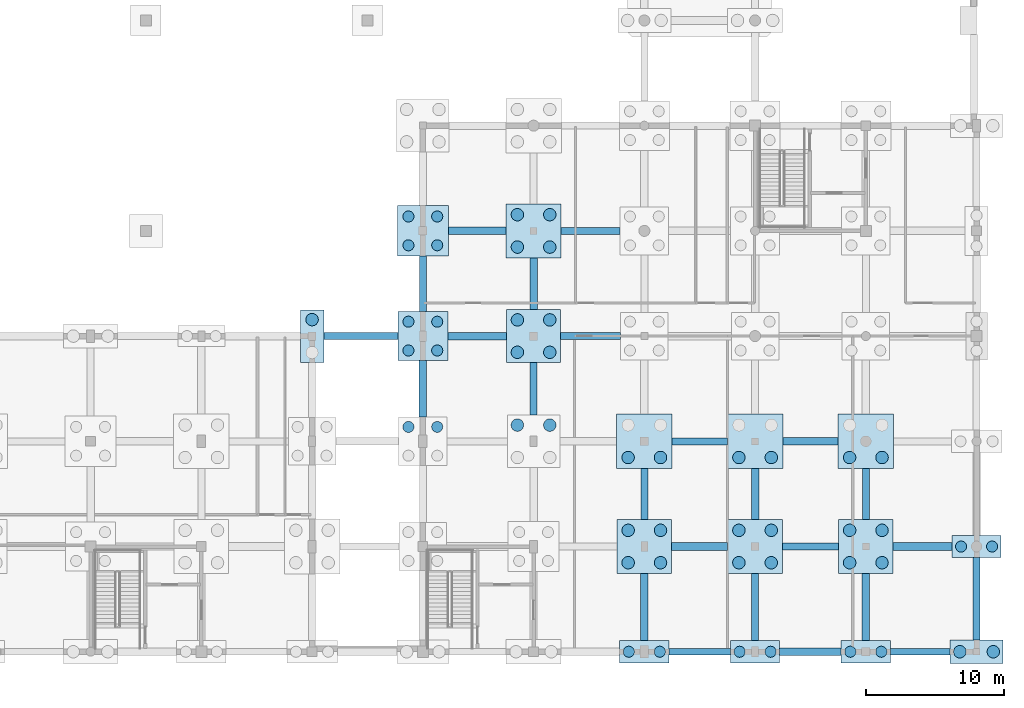
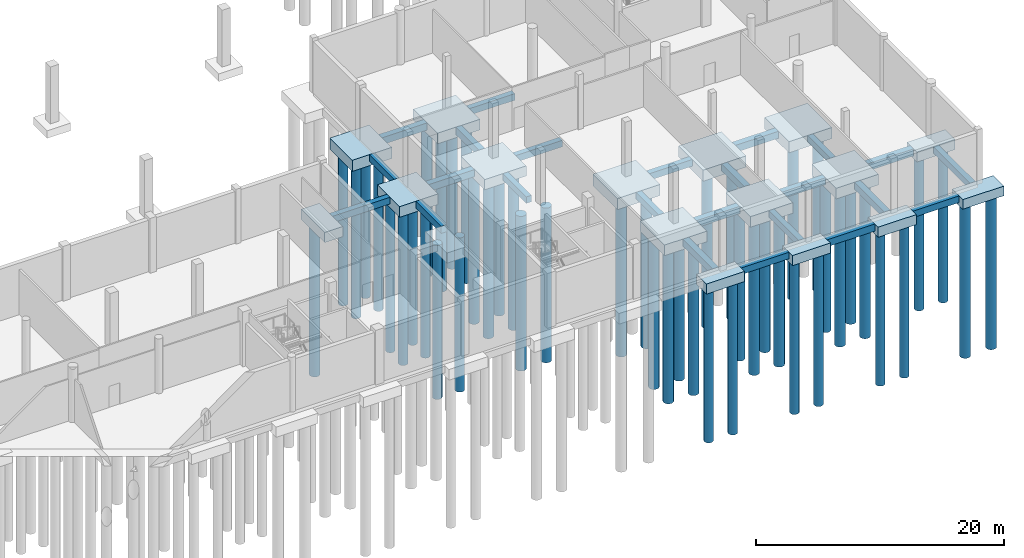
# One storey, part 12 of 44: 49 piles, 40 footings.
"""IFC4 building model written with IfcOpenShell, lengths in metres."""

from ifc_helpers import new_model, si_unit, direction, frame, origin, origin_2d, place, context, subcontext, project, spatial, polyline, circle, outline, extrude, material, material_profile, profile_set, type_object, element, save


model = new_model("IFC4")

# Units and contexts
model_context = context("Model", 3, precision=1e-05, world=origin(), true_north=direction((0.0, 1.0)))
body_context = subcontext(model_context, "Body", "Model", "MODEL_VIEW")
ifc_project = project(units=[si_unit("LENGTHUNIT", "METRE"), si_unit("AREAUNIT", "SQUARE_METRE"), si_unit("VOLUMEUNIT", "CUBIC_METRE"), si_unit("PLANEANGLEUNIT", "RADIAN"), si_unit("MASSUNIT", "GRAM", prefix="KILO")], contexts=[model_context])

# Site, building, storey
site_placement = place(None, origin())
site = spatial("IfcSite", under=ifc_project, at=site_placement, CompositionType="ELEMENT")
building_placement = place(site_placement, origin())
building = spatial("IfcBuilding", under=site, at=building_placement, Name="Khelvaren Railside Concert Hall", CompositionType="ELEMENT")
storey_placement = place(building_placement, frame((0.0, 0.0, -5.39990234375)))
storey = spatial("IfcBuildingStorey", under=building, at=storey_placement, Name="B1", CompositionType="ELEMENT", Elevation=-5.39990234375)

# Piles
ifc_material = material(Name="Concrete C35/45", Category="concrete")
ifc_material_profile_1 = material_profile(ifc_material, circle(Radius=0.449951171875, at=origin_2d()), Name="BP D900")
ifc_profile_set_1 = profile_set([ifc_material_profile_1], Name="Concrete C35/45")
pile_type_1 = type_object("IfcPileType", Name="BP51", PredefinedType="BORED", material=ifc_profile_set_1)
pile_placement = place(storey_placement, frame((136.0, 23.989990234375, -1.400146484375), z_axis=(0.0, 0.0, -1.0), x_axis=(1.0, 0.0, 0.0)))
element("IfcPile", 1, at=pile_placement, inside=storey, type_object=pile_type_1, Name="Bored Pile BP51 PC-V3-153-2", PredefinedType="BORED", context=body_context, shape_type="SweptSolid", body=[
    extrude(circle(Radius=0.449951171875, at=origin_2d()), origin(), (0.0, 0.0, 1.0), 15.199951171875),
])
for number, where, z_axis, x_axis, name in (
    (2, (150.830078125, 16.3701171875, -1.35009765625), (0.0, 0.0, -1.0), (1.0, 0.0, 0.0), "Bored Pile BP51 PC-V2-172-3"),
    (3, (153.169921875, 16.3701171875, -1.35009765625), (0.0, 0.0, -1.0), (1.0, 0.0, 0.0), "Bored Pile BP51 PC-V2-172-4"),
):
    element("IfcPile", number, at=place(storey_placement, frame(where, z_axis=z_axis, x_axis=x_axis)), inside=storey, type_object=pile_type_1, Name=name, PredefinedType="BORED", context=body_context, shape_type="SweptSolid", body=[
        extrude(circle(Radius=0.449951171875, at=origin_2d()), origin(), (0.0, 0.0, 1.0), 15.25),
    ])
for number, where, z_axis, x_axis, name in (
    (4, (150.830078125, 21.6298828125, -1.400146484375), (0.0, 0.0, -1.0), (1.0, 0.0, 0.0), "Bored Pile BP51 PC-V2-173-1"),
    (5, (153.169921875, 21.6298828125, -1.400146484375), (0.0, 0.0, -1.0), (1.0, 0.0, 0.0), "Bored Pile BP51 PC-V2-173-2"),
    (6, (150.830078125, 23.969970703125, -1.400146484375), (0.0, 0.0, -1.0), (1.0, 0.0, 0.0), "Bored Pile BP51 PC-V2-173-3"),
    (7, (153.169921875, 23.969970703125, -1.400146484375), (0.0, 0.0, -1.0), (1.0, 0.0, 0.0), "Bored Pile BP51 PC-V2-173-4"),
):
    element("IfcPile", number, at=place(storey_placement, frame(where, z_axis=z_axis, x_axis=x_axis)), inside=storey, type_object=pile_type_1, Name=name, PredefinedType="BORED", context=body_context, shape_type="SweptSolid", body=[
        extrude(circle(Radius=0.449951171875, at=origin_2d()), origin(), (0.0, 0.0, 1.0), 15.199951171875),
    ])
for number, where, z_axis, x_axis, name in (
    (8, (150.830078125, 29.22998046875, -1.4501953125), (0.0, 0.0, -1.0), (1.0, 0.0, 0.0), "Bored Pile BP51 PC-V2-174-1"),
    (9, (153.169921875, 29.22998046875, -1.4501953125), (0.0, 0.0, -1.0), (1.0, 0.0, 0.0), "Bored Pile BP51 PC-V2-174-2"),
    (10, (150.830078125, 31.570068359375, -1.4501953125), (0.0, 0.0, -1.0), (1.0, 0.0, 0.0), "Bored Pile BP51 PC-V2-174-3"),
    (11, (153.169921875, 31.570068359375, -1.4501953125), (0.0, 0.0, -1.0), (1.0, 0.0, 0.0), "Bored Pile BP51 PC-V2-174-4"),
    (12, (158.830078125, 6.429931640625, -1.4501953125), (0.0, 0.0, -1.0), (1.0, 0.0, 0.0), "Bored Pile BP51 PC-V2-182-1"),
    (13, (161.169921875, 6.429931640625, -1.4501953125), (0.0, 0.0, -1.0), (1.0, 0.0, 0.0), "Bored Pile BP51 PC-V2-182-2"),
    (14, (158.830078125, 8.77001953125, -1.4501953125), (0.0, 0.0, -1.0), (1.0, 0.0, 0.0), "Bored Pile BP51 PC-V2-182-3"),
    (15, (161.169921875, 8.77001953125, -1.4501953125), (0.0, 0.0, -1.0), (1.0, 0.0, 0.0), "Bored Pile BP51 PC-V2-182-4"),
):
    element("IfcPile", number, at=place(storey_placement, frame(where, z_axis=z_axis, x_axis=x_axis)), inside=storey, type_object=pile_type_1, Name=name, PredefinedType="BORED", context=body_context, shape_type="SweptSolid", body=[
        extrude(circle(Radius=0.449951171875, at=origin_2d()), origin(), (0.0, 0.0, 1.0), 15.14990234375),
    ])
for number, where, z_axis, x_axis, name in (
    (16, (158.830078125, 14.030029296875, -1.5), (0.0, 0.0, -1.0), (1.0, 0.0, 0.0), "Bored Pile BP51 PC-V2-183-1"),
    (17, (161.169921875, 14.030029296875, -1.5), (0.0, 0.0, -1.0), (1.0, 0.0, 0.0), "Bored Pile BP51 PC-V2-183-2"),
):
    element("IfcPile", number, at=place(storey_placement, frame(where, z_axis=z_axis, x_axis=x_axis)), inside=storey, type_object=pile_type_1, Name=name, PredefinedType="BORED", context=body_context, shape_type="SweptSolid", body=[
        extrude(circle(Radius=0.449951171875, at=origin_2d()), origin(), (0.0, 0.0, 1.0), 15.10009765625),
    ])
for number, where, z_axis, x_axis, name in (
    (18, (166.830078125, 6.429931640625, -1.4501953125), (0.0, 0.0, -1.0), (1.0, 0.0, 0.0), "Bored Pile BP51 PC-V2-198-1"),
    (19, (169.169921875, 6.429931640625, -1.4501953125), (0.0, 0.0, -1.0), (1.0, 0.0, 0.0), "Bored Pile BP51 PC-V2-198-2"),
    (20, (166.830078125, 8.77001953125, -1.4501953125), (0.0, 0.0, -1.0), (1.0, 0.0, 0.0), "Bored Pile BP51 PC-V2-198-3"),
    (21, (169.169921875, 8.77001953125, -1.4501953125), (0.0, 0.0, -1.0), (1.0, 0.0, 0.0), "Bored Pile BP51 PC-V2-198-4"),
):
    element("IfcPile", number, at=place(storey_placement, frame(where, z_axis=z_axis, x_axis=x_axis)), inside=storey, type_object=pile_type_1, Name=name, PredefinedType="BORED", context=body_context, shape_type="SweptSolid", body=[
        extrude(circle(Radius=0.449951171875, at=origin_2d()), origin(), (0.0, 0.0, 1.0), 15.14990234375),
    ])
for number, where, z_axis, x_axis, name in (
    (22, (166.830078125, 14.030029296875, -1.5), (0.0, 0.0, -1.0), (1.0, 0.0, 0.0), "Bored Pile BP51 PC-V2-199-1"),
    (23, (169.169921875, 14.030029296875, -1.5), (0.0, 0.0, -1.0), (1.0, 0.0, 0.0), "Bored Pile BP51 PC-V2-199-2"),
):
    element("IfcPile", number, at=place(storey_placement, frame(where, z_axis=z_axis, x_axis=x_axis)), inside=storey, type_object=pile_type_1, Name=name, PredefinedType="BORED", context=body_context, shape_type="SweptSolid", body=[
        extrude(circle(Radius=0.449951171875, at=origin_2d()), origin(), (0.0, 0.0, 1.0), 15.10009765625),
    ])
for number, where, z_axis, x_axis, name in (
    (24, (174.830078125, 6.429931640625, -1.4501953125), (0.0, 0.0, -1.0), (1.0, 0.0, 0.0), "Bored Pile BP51 PC-V2-214-1"),
    (25, (177.169921875, 6.429931640625, -1.4501953125), (0.0, 0.0, -1.0), (1.0, 0.0, 0.0), "Bored Pile BP51 PC-V2-214-2"),
    (26, (174.830078125, 8.77001953125, -1.4501953125), (0.0, 0.0, -1.0), (1.0, 0.0, 0.0), "Bored Pile BP51 PC-V2-214-3"),
    (27, (177.169921875, 8.77001953125, -1.4501953125), (0.0, 0.0, -1.0), (1.0, 0.0, 0.0), "Bored Pile BP51 PC-V2-214-4"),
):
    element("IfcPile", number, at=place(storey_placement, frame(where, z_axis=z_axis, x_axis=x_axis)), inside=storey, type_object=pile_type_1, Name=name, PredefinedType="BORED", context=body_context, shape_type="SweptSolid", body=[
        extrude(circle(Radius=0.449951171875, at=origin_2d()), origin(), (0.0, 0.0, 1.0), 15.14990234375),
    ])
for number, where, z_axis, x_axis, name in (
    (28, (174.830078125, 14.030029296875, -1.5), (0.0, 0.0, -1.0), (1.0, 0.0, 0.0), "Bored Pile BP51 PC-V2-215-1"),
    (29, (177.169921875, 14.030029296875, -1.5), (0.0, 0.0, -1.0), (1.0, 0.0, 0.0), "Bored Pile BP51 PC-V2-215-2"),
):
    element("IfcPile", number, at=place(storey_placement, frame(where, z_axis=z_axis, x_axis=x_axis)), inside=storey, type_object=pile_type_1, Name=name, PredefinedType="BORED", context=body_context, shape_type="SweptSolid", body=[
        extrude(circle(Radius=0.449951171875, at=origin_2d()), origin(), (0.0, 0.0, 1.0), 15.10009765625),
    ])
for number, where, z_axis, x_axis, name in (
    (30, (182.7900390625, 0.0, -1.35009765625), (0.0, 0.0, -1.0), (1.0, 0.0, 0.0), "Bored Pile BP51 PC-V2-224-1"),
    (31, (185.2099609375, 0.0, -1.35009765625), (0.0, 0.0, -1.0), (1.0, 0.0, 0.0), "Bored Pile BP51 PC-V2-224-2"),
):
    element("IfcPile", number, at=place(storey_placement, frame(where, z_axis=z_axis, x_axis=x_axis)), inside=storey, type_object=pile_type_1, Name=name, PredefinedType="BORED", context=body_context, shape_type="SweptSolid", body=[
        extrude(circle(Radius=0.449951171875, at=origin_2d()), origin(), (0.0, 0.0, 1.0), 15.25),
    ])
ifc_material_profile_2 = material_profile(ifc_material, circle(Radius=0.39990234375, at=origin_2d()), Name="BP D800")
ifc_profile_set_2 = profile_set([ifc_material_profile_2], Name="Concrete C35/45")
pile_type_2 = type_object("IfcPileType", Name="BP84", PredefinedType="BORED", material=ifc_profile_set_2)
for number, where, z_axis, x_axis, name in (
    (32, (142.9599609375, 16.239990234375, -1.400146484375), (0.0, 0.0, -1.0), (1.0, 0.0, 0.0), "Bored Pile BP84 PC-V2-161-3"),
    (33, (145.0400390625, 16.239990234375, -1.400146484375), (0.0, 0.0, -1.0), (1.0, 0.0, 0.0), "Bored Pile BP84 PC-V2-161-4"),
):
    element("IfcPile", number, at=place(storey_placement, frame(where, z_axis=z_axis, x_axis=x_axis)), inside=storey, type_object=pile_type_2, Name=name, PredefinedType="BORED", context=body_context, shape_type="SweptSolid", body=[
        extrude(circle(Radius=0.39990234375, at=origin_2d()), origin(), (0.0, 0.0, 1.0), 15.199951171875),
    ])
for number, where, z_axis, x_axis, name in (
    (34, (142.9599609375, 21.760009765625, -1.4501953125), (0.0, 0.0, -1.0), (1.0, 0.0, 0.0), "Bored Pile BP84 PC-V2-162-1"),
    (35, (145.0400390625, 21.760009765625, -1.4501953125), (0.0, 0.0, -1.0), (1.0, 0.0, 0.0), "Bored Pile BP84 PC-V2-162-2"),
    (36, (142.9599609375, 23.840087890625, -1.4501953125), (0.0, 0.0, -1.0), (1.0, 0.0, 0.0), "Bored Pile BP84 PC-V2-162-3"),
    (37, (145.0400390625, 23.840087890625, -1.4501953125), (0.0, 0.0, -1.0), (1.0, 0.0, 0.0), "Bored Pile BP84 PC-V2-162-4"),
):
    element("IfcPile", number, at=place(storey_placement, frame(where, z_axis=z_axis, x_axis=x_axis)), inside=storey, type_object=pile_type_2, Name=name, PredefinedType="BORED", context=body_context, shape_type="SweptSolid", body=[
        extrude(circle(Radius=0.39990234375, at=origin_2d()), origin(), (0.0, 0.0, 1.0), 15.14990234375),
    ])
for number, where, z_axis, x_axis, name in (
    (38, (142.9599609375, 29.360107421875, -1.5), (0.0, 0.0, -1.0), (1.0, 0.0, 0.0), "Bored Pile BP84 PC-V2-163-1"),
    (39, (145.0400390625, 29.360107421875, -1.5), (0.0, 0.0, -1.0), (1.0, 0.0, 0.0), "Bored Pile BP84 PC-V2-163-2"),
    (40, (142.9599609375, 31.43994140625, -1.5), (0.0, 0.0, -1.0), (1.0, 0.0, 0.0), "Bored Pile BP84 PC-V2-163-3"),
    (41, (145.0400390625, 31.43994140625, -1.5), (0.0, 0.0, -1.0), (1.0, 0.0, 0.0), "Bored Pile BP84 PC-V2-163-4"),
):
    element("IfcPile", number, at=place(storey_placement, frame(where, z_axis=z_axis, x_axis=x_axis)), inside=storey, type_object=pile_type_2, Name=name, PredefinedType="BORED", context=body_context, shape_type="SweptSolid", body=[
        extrude(circle(Radius=0.39990234375, at=origin_2d()), origin(), (0.0, 0.0, 1.0), 15.10009765625),
    ])
for number, where, z_axis, x_axis, name in (
    (42, (158.8798828125, 0.0, -1.400146484375), (0.0, 0.0, -1.0), (1.0, 0.0, 0.0), "Bored Pile BP84 PC-V2-181-1"),
    (43, (161.1201171875, 0.0, -1.400146484375), (0.0, 0.0, -1.0), (1.0, 0.0, 0.0), "Bored Pile BP84 PC-V2-181-2"),
    (44, (166.8798828125, 0.0, -1.400146484375), (0.0, 0.0, -1.0), (1.0, 0.0, 0.0), "Bored Pile BP84 PC-V2-197-1"),
    (45, (169.1201171875, 0.0, -1.400146484375), (0.0, 0.0, -1.0), (1.0, 0.0, 0.0), "Bored Pile BP84 PC-V2-197-2"),
    (46, (174.8798828125, 0.0, -1.400146484375), (0.0, 0.0, -1.0), (1.0, 0.0, 0.0), "Bored Pile BP84 PC-V2-213-1"),
    (47, (177.1201171875, 0.0, -1.400146484375), (0.0, 0.0, -1.0), (1.0, 0.0, 0.0), "Bored Pile BP84 PC-V2-213-2"),
    (48, (182.8798828125, 7.60009765625, -1.400146484375), (0.0, 0.0, -1.0), (1.0, 0.0, 0.0), "Bored Pile BP84 PC-V2-225-1"),
    (49, (185.1201171875, 7.60009765625, -1.400146484375), (0.0, 0.0, -1.0), (1.0, 0.0, 0.0), "Bored Pile BP84 PC-V2-225-2"),
):
    element("IfcPile", number, at=place(storey_placement, frame(where, z_axis=z_axis, x_axis=x_axis)), inside=storey, type_object=pile_type_2, Name=name, PredefinedType="BORED", context=body_context, shape_type="SweptSolid", body=[
        extrude(circle(Radius=0.39990234375, at=origin_2d()), origin(), (0.0, 0.0, 1.0), 15.199951171875),
    ])

# Footings
footing_type_1 = type_object("IfcFootingType", Name="GB49", PredefinedType="FOOTING_BEAM", material=ifc_material)
footing_1_placement = place(storey_placement, frame((0.0, 0.0, -1.150146484375)))
element("IfcFooting", 50, at=footing_1_placement, inside=storey, type_object=footing_type_1, Name="Ground Tie Beam GB49 21", PredefinedType="FOOTING_BEAM", context=body_context, shape_type="SweptSolid", body=[
    extrude(outline(polyline([(161.780029296875, -0.25), (166.219970703125, -0.25), (166.219970703125, 0.25), (161.780029296875, 0.25), (161.780029296875, -0.25)])), origin(), (0.0, 0.0, 1.0), 0.650146484375),
])
footing_2_placement = place(storey_placement, frame((0.0, 0.0, -1.150146484375)))
element("IfcFooting", 51, at=footing_2_placement, inside=storey, type_object=footing_type_1, Name="Ground Tie Beam GB49 23", PredefinedType="FOOTING_BEAM", context=body_context, shape_type="SweptSolid", body=[
    extrude(outline(polyline([(177.780029296875, -0.25), (182.080078125, -0.25), (182.080078125, 0.25), (177.780029296875, 0.25), (177.780029296875, -0.25)])), origin(), (0.0, 0.0, 1.0), 0.650146484375),
])
footing_3_placement = place(storey_placement, frame((0.0, 0.0, -1.150146484375)))
element("IfcFooting", 52, at=footing_3_placement, inside=storey, type_object=footing_type_1, Name="Ground Tie Beam GB49 45", PredefinedType="FOOTING_BEAM", context=body_context, shape_type="SweptSolid", body=[
    extrude(outline(polyline([(169.97998046875, 7.35009765625), (174.02001953125, 7.35009765625), (174.02001953125, 7.85009765625), (169.97998046875, 7.85009765625), (169.97998046875, 7.35009765625)])), origin(), (0.0, 0.0, 1.0), 0.650146484375),
])
footing_4_placement = place(storey_placement, frame((0.0, 0.0, -1.150146484375)))
element("IfcFooting", 53, at=footing_4_placement, inside=storey, type_object=footing_type_1, Name="Ground Tie Beam GB49 67", PredefinedType="FOOTING_BEAM", context=body_context, shape_type="SweptSolid", body=[
    extrude(outline(polyline([(162.0, 14.949951171875), (166.0, 14.949951171875), (166.0, 15.449951171875), (162.0, 15.449951171875), (162.0, 14.949951171875)])), origin(), (0.0, 0.0, 1.0), 0.650146484375),
])
footing_5_placement = place(storey_placement, frame((0.0, 0.0, -1.150146484375)))
element("IfcFooting", 54, at=footing_5_placement, inside=storey, type_object=footing_type_1, Name="Ground Tie Beam GB49 87", PredefinedType="FOOTING_BEAM", context=body_context, shape_type="SweptSolid", body=[
    extrude(outline(polyline([(136.85009765625, 22.550048828125), (142.199951171875, 22.550048828125), (142.199951171875, 23.050048828125), (136.85009765625, 23.050048828125), (136.85009765625, 22.550048828125)])), origin(), (0.0, 0.0, 1.0), 0.650146484375),
])
footing_6_placement = place(storey_placement, frame((0.0, 0.0, -1.150146484375)))
element("IfcFooting", 55, at=footing_6_placement, inside=storey, type_object=footing_type_1, Name="Ground Tie Beam GB49 89", PredefinedType="FOOTING_BEAM", context=body_context, shape_type="SweptSolid", body=[
    extrude(outline(polyline([(153.93994140625, 22.550048828125), (158.280029296875, 22.550048828125), (158.280029296875, 23.050048828125), (153.93994140625, 23.050048828125), (153.93994140625, 22.550048828125)])), origin(), (0.0, 0.0, 1.0), 0.650146484375),
])
footing_7_placement = place(storey_placement, frame((0.0, 0.0, -1.150146484375)))
element("IfcFooting", 56, at=footing_7_placement, inside=storey, type_object=footing_type_1, Name="Ground Tie Beam GB49 101", PredefinedType="FOOTING_BEAM", context=body_context, shape_type="SweptSolid", body=[
    extrude(outline(polyline([(153.97998046875, 30.14990234375), (158.239990234375, 30.14990234375), (158.239990234375, 30.64990234375), (153.97998046875, 30.64990234375), (153.97998046875, 30.14990234375)])), origin(), (0.0, 0.0, 1.0), 0.650146484375),
])
footing_8_placement = place(storey_placement, frame((0.0, 0.0, -1.150146484375)))
element("IfcFooting", 57, at=footing_8_placement, inside=storey, type_object=footing_type_1, Name="Ground Tie Beam GB49 345", PredefinedType="FOOTING_BEAM", context=body_context, shape_type="SweptSolid", body=[
    extrude(outline(polyline([(143.75, 24.580078125), (144.25, 24.580078125), (144.25, 28.580078125), (143.75, 28.580078125), (143.75, 24.580078125)])), origin(), (0.0, 0.0, 1.0), 0.650146484375),
])
footing_9_placement = place(storey_placement, frame((0.0, 0.0, -1.150146484375)))
element("IfcFooting", 58, at=footing_9_placement, inside=storey, type_object=footing_type_1, Name="Ground Tie Beam GB49 353", PredefinedType="FOOTING_BEAM", context=body_context, shape_type="SweptSolid", body=[
    extrude(outline(polyline([(151.75, 17.10009765625), (152.25, 17.10009765625), (152.25, 20.8798828125), (151.75, 20.8798828125), (151.75, 17.10009765625)])), origin(), (0.0, 0.0, 1.0), 0.650146484375),
])
footing_10_placement = place(storey_placement, frame((0.0, 0.0, -1.150146484375)))
element("IfcFooting", 59, at=footing_10_placement, inside=storey, type_object=footing_type_1, Name="Ground Tie Beam GB49 361", PredefinedType="FOOTING_BEAM", context=body_context, shape_type="SweptSolid", body=[
    extrude(outline(polyline([(159.75, 9.56005859375), (160.25, 9.56005859375), (160.25, 13.219970703125), (159.75, 13.219970703125), (159.75, 9.56005859375)])), origin(), (0.0, 0.0, 1.0), 0.650146484375),
])
footing_11_placement = place(storey_placement, frame((0.0, 0.0, -1.150146484375)))
element("IfcFooting", 60, at=footing_11_placement, inside=storey, type_object=footing_type_1, Name="Ground Tie Beam GB49 375", PredefinedType="FOOTING_BEAM", context=body_context, shape_type="SweptSolid", body=[
    extrude(outline(polyline([(167.75, 0.800048828125), (168.25, 0.800048828125), (168.25, 5.639892578125), (167.75, 5.639892578125), (167.75, 0.800048828125)])), origin(), (0.0, 0.0, 1.0), 0.650146484375),
])
footing_12_placement = place(storey_placement, frame((0.0, 0.0, -1.150146484375)))
element("IfcFooting", 61, at=footing_12_placement, inside=storey, type_object=footing_type_1, Name="Ground Tie Beam GB49 391", PredefinedType="FOOTING_BEAM", context=body_context, shape_type="SweptSolid", body=[
    extrude(outline(polyline([(175.75, 9.56005859375), (176.25, 9.56005859375), (176.25, 13.219970703125), (175.75, 13.219970703125), (175.75, 9.56005859375)])), origin(), (0.0, 0.0, 1.0), 0.650146484375),
])
footing_13_placement = place(storey_placement, frame((0.0, 0.0, -1.150146484375)))
element("IfcFooting", 62, at=footing_13_placement, inside=storey, type_object=footing_type_1, Name="Ground Tie Beam GB49 399", PredefinedType="FOOTING_BEAM", context=body_context, shape_type="SweptSolid", body=[
    extrude(outline(polyline([(183.75, 0.860107421875), (184.25, 0.860107421875), (184.25, 6.800048828125), (183.75, 6.800048828125), (183.75, 0.860107421875)])), origin(), (0.0, 0.0, 1.0), 0.650146484375),
])
footing_type_2 = type_object("IfcFootingType", Name="GB57", PredefinedType="FOOTING_BEAM", material=ifc_material)
footing_14_placement = place(storey_placement, frame((0.0, 0.0, -1.2001953125)))
element("IfcFooting", 63, at=footing_14_placement, inside=storey, type_object=footing_type_2, Name="Ground Tie Beam GB57 22", PredefinedType="FOOTING_BEAM", context=body_context, shape_type="SweptSolid", body=[
    extrude(outline(polyline([(169.780029296875, -0.27490234375), (174.219970703125, -0.27490234375), (174.219970703125, 0.27490234375), (169.780029296875, 0.27490234375), (169.780029296875, -0.27490234375)])), origin(), (0.0, 0.0, 1.0), 0.7001953125),
])
footing_15_placement = place(storey_placement, frame((0.0, 0.0, -1.2001953125)))
element("IfcFooting", 64, at=footing_15_placement, inside=storey, type_object=footing_type_2, Name="Ground Tie Beam GB57 44", PredefinedType="FOOTING_BEAM", context=body_context, shape_type="SweptSolid", body=[
    extrude(outline(polyline([(161.97998046875, 7.324951171875), (166.02001953125, 7.324951171875), (166.02001953125, 7.875), (161.97998046875, 7.875), (161.97998046875, 7.324951171875)])), origin(), (0.0, 0.0, 1.0), 0.7001953125),
])
footing_16_placement = place(storey_placement, frame((0.0, 0.0, -1.2001953125)))
element("IfcFooting", 65, at=footing_16_placement, inside=storey, type_object=footing_type_2, Name="Ground Tie Beam GB57 46", PredefinedType="FOOTING_BEAM", context=body_context, shape_type="SweptSolid", body=[
    extrude(outline(polyline([(177.97998046875, 7.324951171875), (182.219970703125, 7.324951171875), (182.219970703125, 7.875), (177.97998046875, 7.875), (177.97998046875, 7.324951171875)])), origin(), (0.0, 0.0, 1.0), 0.7001953125),
])
footing_17_placement = place(storey_placement, frame((0.0, 0.0, -1.2001953125)))
element("IfcFooting", 66, at=footing_17_placement, inside=storey, type_object=footing_type_2, Name="Ground Tie Beam GB57 68", PredefinedType="FOOTING_BEAM", context=body_context, shape_type="SweptSolid", body=[
    extrude(outline(polyline([(170.0, 14.925048828125), (174.0, 14.925048828125), (174.0, 15.47509765625), (170.0, 15.47509765625), (170.0, 14.925048828125)])), origin(), (0.0, 0.0, 1.0), 0.7001953125),
])
footing_18_placement = place(storey_placement, frame((0.0, 0.0, -1.2001953125)))
element("IfcFooting", 67, at=footing_18_placement, inside=storey, type_object=footing_type_2, Name="Ground Tie Beam GB57 88", PredefinedType="FOOTING_BEAM", context=body_context, shape_type="SweptSolid", body=[
    extrude(outline(polyline([(145.800048828125, 22.52490234375), (150.06005859375, 22.52490234375), (150.06005859375, 23.074951171875), (145.800048828125, 23.074951171875), (145.800048828125, 22.52490234375)])), origin(), (0.0, 0.0, 1.0), 0.7001953125),
])
footing_19_placement = place(storey_placement, frame((0.0, 0.0, -1.2001953125)))
element("IfcFooting", 68, at=footing_19_placement, inside=storey, type_object=footing_type_2, Name="Ground Tie Beam GB57 100", PredefinedType="FOOTING_BEAM", context=body_context, shape_type="SweptSolid", body=[
    extrude(outline(polyline([(145.840087890625, 30.125), (150.02001953125, 30.125), (150.02001953125, 30.675048828125), (145.840087890625, 30.675048828125), (145.840087890625, 30.125)])), origin(), (0.0, 0.0, 1.0), 0.7001953125),
])
footing_20_placement = place(storey_placement, frame((0.0, 0.0, -1.2001953125)))
element("IfcFooting", 69, at=footing_20_placement, inside=storey, type_object=footing_type_2, Name="Ground Tie Beam GB57 344", PredefinedType="FOOTING_BEAM", context=body_context, shape_type="SweptSolid", body=[
    extrude(outline(polyline([(143.72509765625, 16.93994140625), (144.27490234375, 16.93994140625), (144.27490234375, 21.02001953125), (143.72509765625, 21.02001953125), (143.72509765625, 16.93994140625)])), origin(), (0.0, 0.0, 1.0), 0.7001953125),
])
footing_21_placement = place(storey_placement, frame((0.0, 0.0, -1.2001953125)))
element("IfcFooting", 70, at=footing_21_placement, inside=storey, type_object=footing_type_2, Name="Ground Tie Beam GB57 354", PredefinedType="FOOTING_BEAM", context=body_context, shape_type="SweptSolid", body=[
    extrude(outline(polyline([(151.72509765625, 24.719970703125), (152.27490234375, 24.719970703125), (152.27490234375, 28.43994140625), (151.72509765625, 28.43994140625), (151.72509765625, 24.719970703125)])), origin(), (0.0, 0.0, 1.0), 0.7001953125),
])
footing_22_placement = place(storey_placement, frame((0.0, 0.0, -1.2001953125)))
element("IfcFooting", 71, at=footing_22_placement, inside=storey, type_object=footing_type_2, Name="Ground Tie Beam GB57 360", PredefinedType="FOOTING_BEAM", context=body_context, shape_type="SweptSolid", body=[
    extrude(outline(polyline([(159.72509765625, 0.800048828125), (160.27490234375, 0.800048828125), (160.27490234375, 5.639892578125), (159.72509765625, 5.639892578125), (159.72509765625, 0.800048828125)])), origin(), (0.0, 0.0, 1.0), 0.7001953125),
])
footing_23_placement = place(storey_placement, frame((0.0, 0.0, -1.2001953125)))
element("IfcFooting", 72, at=footing_23_placement, inside=storey, type_object=footing_type_2, Name="Ground Tie Beam GB57 376", PredefinedType="FOOTING_BEAM", context=body_context, shape_type="SweptSolid", body=[
    extrude(outline(polyline([(167.72509765625, 9.56005859375), (168.27490234375, 9.56005859375), (168.27490234375, 13.219970703125), (167.72509765625, 13.219970703125), (167.72509765625, 9.56005859375)])), origin(), (0.0, 0.0, 1.0), 0.7001953125),
])
footing_24_placement = place(storey_placement, frame((0.0, 0.0, -1.2001953125)))
element("IfcFooting", 73, at=footing_24_placement, inside=storey, type_object=footing_type_2, Name="Ground Tie Beam GB57 390", PredefinedType="FOOTING_BEAM", context=body_context, shape_type="SweptSolid", body=[
    extrude(outline(polyline([(175.72509765625, 0.800048828125), (176.27490234375, 0.800048828125), (176.27490234375, 5.639892578125), (175.72509765625, 5.639892578125), (175.72509765625, 0.800048828125)])), origin(), (0.0, 0.0, 1.0), 0.7001953125),
])
footing_type_3 = type_object("IfcFootingType", Name="PC13", PredefinedType="PILE_CAP", material=ifc_material)
footing_25_placement = place(storey_placement, frame((0.0, 0.0, -1.550048828125)))
element("IfcFooting", 74, at=footing_25_placement, inside=storey, type_object=footing_type_3, Name="Pile Cap PC13 (152.0,30.4)", PredefinedType="PILE_CAP", context=body_context, shape_type="SweptSolid", body=[
    extrude(outline(polyline([(150.02001953125, 28.43994140625), (153.97998046875, 28.43994140625), (153.97998046875, 32.360107421875), (150.02001953125, 32.360107421875), (150.02001953125, 28.43994140625)])), origin(), (0.0, 0.0, 1.0), 1.050048828125),
])
footing_26_placement = place(storey_placement, frame((0.0, 0.0, -1.550048828125)))
element("IfcFooting", 75, at=footing_26_placement, inside=storey, type_object=footing_type_3, Name="Pile Cap PC13 (160.0,7.6)", PredefinedType="PILE_CAP", context=body_context, shape_type="SweptSolid", body=[
    extrude(outline(polyline([(158.02001953125, 5.639892578125), (161.97998046875, 5.639892578125), (161.97998046875, 9.56005859375), (158.02001953125, 9.56005859375), (158.02001953125, 5.639892578125)])), origin(), (0.0, 0.0, 1.0), 1.050048828125),
])
footing_27_placement = place(storey_placement, frame((0.0, 0.0, -1.550048828125)))
element("IfcFooting", 76, at=footing_27_placement, inside=storey, type_object=footing_type_3, Name="Pile Cap PC13 (168.0,7.6)", PredefinedType="PILE_CAP", context=body_context, shape_type="SweptSolid", body=[
    extrude(outline(polyline([(166.02001953125, 5.639892578125), (169.97998046875, 5.639892578125), (169.97998046875, 9.56005859375), (166.02001953125, 9.56005859375), (166.02001953125, 5.639892578125)])), origin(), (0.0, 0.0, 1.0), 1.050048828125),
])
footing_28_placement = place(storey_placement, frame((0.0, 0.0, -1.550048828125)))
element("IfcFooting", 77, at=footing_28_placement, inside=storey, type_object=footing_type_3, Name="Pile Cap PC13 (176.0,7.6)", PredefinedType="PILE_CAP", context=body_context, shape_type="SweptSolid", body=[
    extrude(outline(polyline([(174.02001953125, 5.639892578125), (177.97998046875, 5.639892578125), (177.97998046875, 9.56005859375), (174.02001953125, 9.56005859375), (174.02001953125, 5.639892578125)])), origin(), (0.0, 0.0, 1.0), 1.050048828125),
])
footing_type_4 = type_object("IfcFootingType", Name="PC42", PredefinedType="PILE_CAP", material=ifc_material)
footing_29_placement = place(storey_placement, frame((0.0, 0.0, -1.60009765625)))
element("IfcFooting", 78, at=footing_29_placement, inside=storey, type_object=footing_type_4, Name="Pile Cap PC42 (144.0,30.4)", PredefinedType="PILE_CAP", context=body_context, shape_type="SweptSolid", body=[
    extrude(outline(polyline([(142.159912109375, 28.580078125), (145.840087890625, 28.580078125), (145.840087890625, 32.219970703125), (142.159912109375, 32.219970703125), (142.159912109375, 28.580078125)])), origin(), (0.0, 0.0, 1.0), 1.10009765625),
])
footing_type_5 = type_object("IfcFootingType", Name="PC51", PredefinedType="PILE_CAP", material=ifc_material)
footing_30_placement = place(storey_placement, frame((0.0, 0.0, -1.60009765625)))
element("IfcFooting", 79, at=footing_30_placement, inside=storey, type_object=footing_type_5, Name="Pile Cap PC51 (160.0,15.2)", PredefinedType="PILE_CAP", context=body_context, shape_type="SweptSolid", body=[
    extrude(outline(polyline([(158.0, 13.219970703125), (162.0, 13.219970703125), (162.0, 17.179931640625), (158.0, 17.179931640625), (158.0, 13.219970703125)])), origin(), (0.0, 0.0, 1.0), 1.10009765625),
])
footing_31_placement = place(storey_placement, frame((0.0, 0.0, -1.60009765625)))
element("IfcFooting", 80, at=footing_31_placement, inside=storey, type_object=footing_type_5, Name="Pile Cap PC51 (168.0,15.2)", PredefinedType="PILE_CAP", context=body_context, shape_type="SweptSolid", body=[
    extrude(outline(polyline([(166.0, 13.219970703125), (170.0, 13.219970703125), (170.0, 17.179931640625), (166.0, 17.179931640625), (166.0, 13.219970703125)])), origin(), (0.0, 0.0, 1.0), 1.10009765625),
])
footing_32_placement = place(storey_placement, frame((0.0, 0.0, -1.60009765625)))
element("IfcFooting", 81, at=footing_32_placement, inside=storey, type_object=footing_type_5, Name="Pile Cap PC51 (176.0,15.2)", PredefinedType="PILE_CAP", context=body_context, shape_type="SweptSolid", body=[
    extrude(outline(polyline([(174.0, 13.219970703125), (178.0, 13.219970703125), (178.0, 17.179931640625), (174.0, 17.179931640625), (174.0, 13.219970703125)])), origin(), (0.0, 0.0, 1.0), 1.10009765625),
])
footing_type_6 = type_object("IfcFootingType", Name="PC63", PredefinedType="PILE_CAP", material=ifc_material)
footing_33_placement = place(storey_placement, frame((0.0, 0.0, -1.5)))
element("IfcFooting", 82, at=footing_33_placement, inside=storey, type_object=footing_type_6, Name="Pile Cap PC63 (152.0,22.8)", PredefinedType="PILE_CAP", context=body_context, shape_type="SweptSolid", body=[
    extrude(outline(polyline([(150.06005859375, 20.8798828125), (153.93994140625, 20.8798828125), (153.93994140625, 24.719970703125), (150.06005859375, 24.719970703125), (150.06005859375, 20.8798828125)])), origin(), (0.0, 0.0, 1.0), 1.0),
])
footing_type_7 = type_object("IfcFootingType", Name="PC65", PredefinedType="PILE_CAP", material=ifc_material)
footing_34_placement = place(storey_placement, frame((0.0, 0.0, -1.4501953125)))
element("IfcFooting", 83, at=footing_34_placement, inside=storey, type_object=footing_type_7, Name="Pile Cap PC65 (184.0,0.0)", PredefinedType="PILE_CAP", context=body_context, shape_type="SweptSolid", body=[
    extrude(outline(polyline([(182.080078125, -0.860107421875), (185.919921875, -0.860107421875), (185.919921875, 0.860107421875), (182.080078125, 0.860107421875), (182.080078125, -0.860107421875)])), origin(), (0.0, 0.0, 1.0), 0.9501953125),
])
footing_type_8 = type_object("IfcFootingType", Name="PC67", PredefinedType="PILE_CAP", material=ifc_material)
footing_35_placement = place(storey_placement, frame((0.0, 0.0, -1.5)))
element("IfcFooting", 84, at=footing_35_placement, inside=storey, type_object=footing_type_8, Name="Pile Cap PC67 (160.0,0.0)", PredefinedType="PILE_CAP", context=body_context, shape_type="SweptSolid", body=[
    extrude(outline(polyline([(158.219970703125, -0.800048828125), (161.780029296875, -0.800048828125), (161.780029296875, 0.800048828125), (158.219970703125, 0.800048828125), (158.219970703125, -0.800048828125)])), origin(), (0.0, 0.0, 1.0), 1.0),
])
footing_36_placement = place(storey_placement, frame((0.0, 0.0, -1.5)))
element("IfcFooting", 85, at=footing_36_placement, inside=storey, type_object=footing_type_8, Name="Pile Cap PC67 (168.0,0.0)", PredefinedType="PILE_CAP", context=body_context, shape_type="SweptSolid", body=[
    extrude(outline(polyline([(166.219970703125, -0.800048828125), (169.780029296875, -0.800048828125), (169.780029296875, 0.800048828125), (166.219970703125, 0.800048828125), (166.219970703125, -0.800048828125)])), origin(), (0.0, 0.0, 1.0), 1.0),
])
footing_37_placement = place(storey_placement, frame((0.0, 0.0, -1.5)))
element("IfcFooting", 86, at=footing_37_placement, inside=storey, type_object=footing_type_8, Name="Pile Cap PC67 (176.0,0.0)", PredefinedType="PILE_CAP", context=body_context, shape_type="SweptSolid", body=[
    extrude(outline(polyline([(174.219970703125, -0.800048828125), (177.780029296875, -0.800048828125), (177.780029296875, 0.800048828125), (174.219970703125, 0.800048828125), (174.219970703125, -0.800048828125)])), origin(), (0.0, 0.0, 1.0), 1.0),
])
footing_38_placement = place(storey_placement, frame((0.0, 0.0, -1.5)))
element("IfcFooting", 87, at=footing_38_placement, inside=storey, type_object=footing_type_8, Name="Pile Cap PC67 (184.0,7.6)", PredefinedType="PILE_CAP", context=body_context, shape_type="SweptSolid", body=[
    extrude(outline(polyline([(182.219970703125, 6.800048828125), (185.780029296875, 6.800048828125), (185.780029296875, 8.39990234375), (182.219970703125, 8.39990234375), (182.219970703125, 6.800048828125)])), origin(), (0.0, 0.0, 1.0), 1.0),
])
footing_type_9 = type_object("IfcFootingType", Name="PC72", PredefinedType="PILE_CAP", material=ifc_material)
footing_39_placement = place(storey_placement, frame((0.0, 0.0, -1.5)))
element("IfcFooting", 88, at=footing_39_placement, inside=storey, type_object=footing_type_9, Name="Pile Cap PC72 (136.0,22.8)", PredefinedType="PILE_CAP", context=body_context, shape_type="SweptSolid", body=[
    extrude(outline(polyline([(135.14990234375, 20.89990234375), (136.85009765625, 20.89990234375), (136.85009765625, 24.699951171875), (135.14990234375, 24.699951171875), (135.14990234375, 20.89990234375)])), origin(), (0.0, 0.0, 1.0), 1.0),
])
footing_type_10 = type_object("IfcFootingType", Name="PC90", PredefinedType="PILE_CAP", material=ifc_material)
footing_40_placement = place(storey_placement, frame((0.0, 0.0, -1.550048828125)))
element("IfcFooting", 89, at=footing_40_placement, inside=storey, type_object=footing_type_10, Name="Pile Cap PC90 (144.0,22.8)", PredefinedType="PILE_CAP", context=body_context, shape_type="SweptSolid", body=[
    extrude(outline(polyline([(142.199951171875, 21.02001953125), (145.800048828125, 21.02001953125), (145.800048828125, 24.580078125), (142.199951171875, 24.580078125), (142.199951171875, 21.02001953125)])), origin(), (0.0, 0.0, 1.0), 1.050048828125),
])

save(model, "model.ifc")
